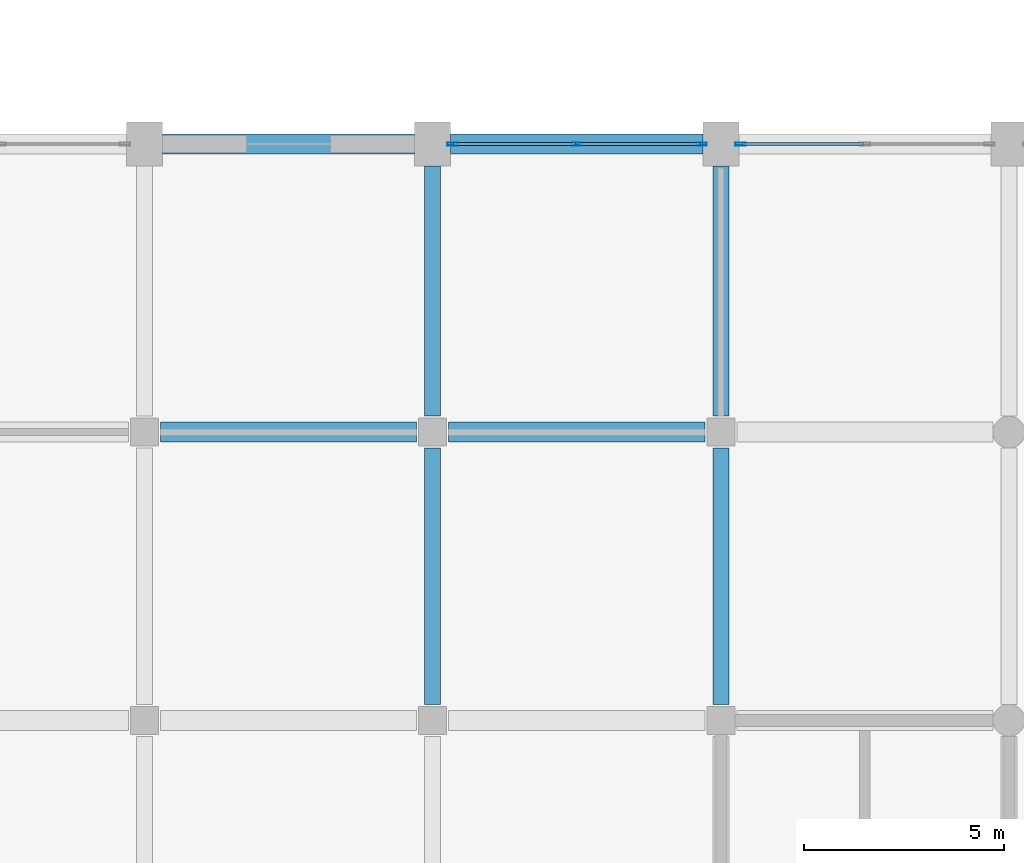
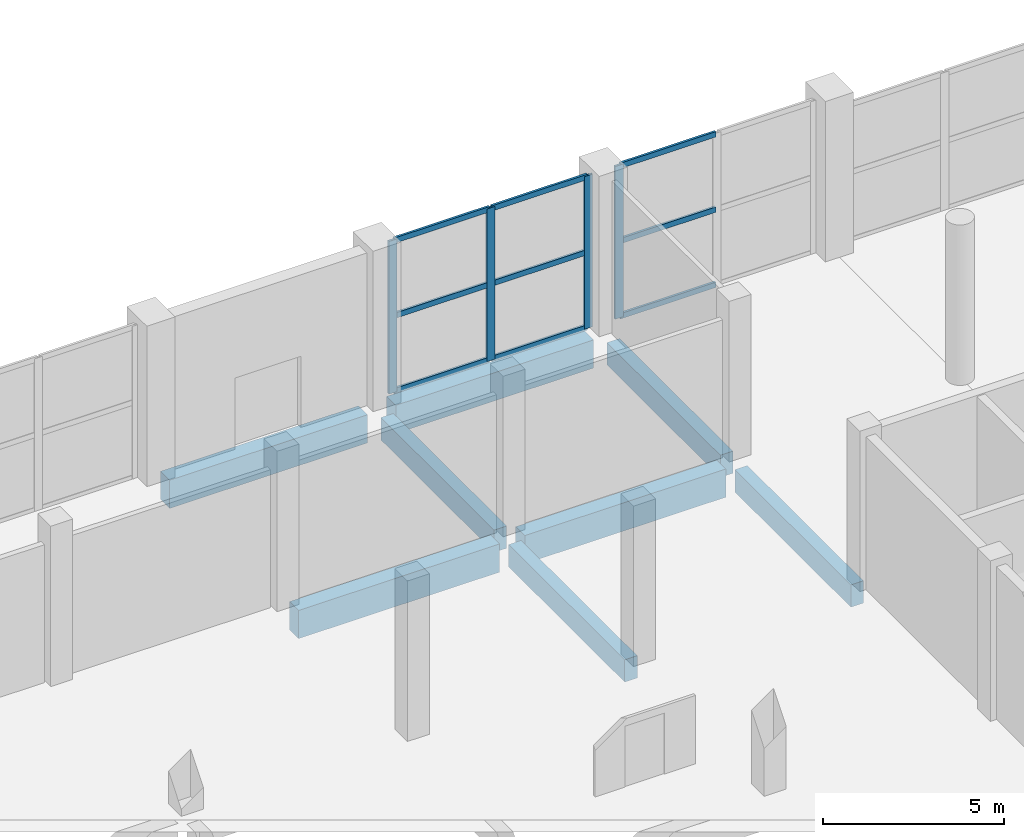
# One storey, part 26 of 70: 13 members, 8 beams, 2 elements without a shape of their own.
"""IFC4 building model written with IfcOpenShell, lengths in metres."""

from ifc_helpers import new_model, si_unit, direction, frame, origin, origin_2d, place, context, subcontext, project, spatial, rectangle, hollow_rectangle, extrude, material, material_profile, profile_set, type_object, element, aggregate, save


model = new_model("IFC4")

# Units and contexts
model_context = context("Model", 3, precision=1e-05, world=origin(), true_north=direction((0.0, 1.0)))
body_context = subcontext(model_context, "Body", "Model", "MODEL_VIEW")
ifc_project = project(units=[si_unit("LENGTHUNIT", "METRE"), si_unit("AREAUNIT", "SQUARE_METRE"), si_unit("VOLUMEUNIT", "CUBIC_METRE"), si_unit("PLANEANGLEUNIT", "RADIAN"), si_unit("MASSUNIT", "GRAM", prefix="KILO")], contexts=[model_context])

# Site, building, storey
site_placement = place(None, origin())
site = spatial("IfcSite", under=ifc_project, at=site_placement, CompositionType="ELEMENT")
building_placement = place(site_placement, origin())
building = spatial("IfcBuilding", under=site, at=building_placement, Name="Vesperath Aquatics Centre", CompositionType="ELEMENT")
storey_placement = place(building_placement, origin())
storey = spatial("IfcBuildingStorey", under=building, at=storey_placement, Name="L00", CompositionType="ELEMENT", Elevation=0.0)

# Beams
ifc_material_1 = material(Name="Concrete C40", Category="concrete")
ifc_material_profile_1 = material_profile(ifc_material_1, rectangle(XDim=0.5, YDim=0.949951171875, at=origin_2d()), Name="RC 500x950")
ifc_profile_set_1 = profile_set([ifc_material_profile_1], Name="Concrete C40")
beam_type_1 = type_object("IfcBeamType", Name="BM-G02", PredefinedType="BEAM", material=ifc_profile_set_1)
beam_1_placement = place(storey_placement, frame((79.60009765625, 79.199951171875, -0.7548828125), z_axis=(1.0, 0.0, 0.0), x_axis=(0.0, 1.0, 0.0)))
element("IfcBeam", 1, at=beam_1_placement, inside=storey, type_object=beam_type_1, Name="Floor Girder B02 L00 M 12-13", PredefinedType="BEAM", context=body_context, shape_type="SweptSolid", body=[
    extrude(rectangle(XDim=0.5, YDim=0.949951171875, at=origin_2d()), origin(), (0.0, 0.0, 1.0), 6.39990234375),
])
beam_2_placement = place(storey_placement, frame((79.64990234375, 86.39990234375, -0.7548828125), z_axis=(1.0, 0.0, 0.0), x_axis=(0.0, 1.0, 0.0)))
element("IfcBeam", 2, at=beam_2_placement, inside=storey, type_object=beam_type_1, Name="Floor Girder B02 L00 N 12-13", PredefinedType="BEAM", context=body_context, shape_type="SweptSolid", body=[
    extrude(rectangle(XDim=0.5, YDim=0.949951171875, at=origin_2d()), origin(), (0.0, 0.0, 1.0), 6.300048828125),
])
beam_3_placement = place(storey_placement, frame((86.800048828125, 79.199951171875, -0.7548828125), z_axis=(1.0, 0.0, 0.0), x_axis=(0.0, 1.0, 0.0)))
element("IfcBeam", 3, at=beam_3_placement, inside=storey, type_object=beam_type_1, Name="Floor Girder B02 L00 M 13-14", PredefinedType="BEAM", context=body_context, shape_type="SweptSolid", body=[
    extrude(rectangle(XDim=0.5, YDim=0.949951171875, at=origin_2d()), origin(), (0.0, 0.0, 1.0), 6.39990234375),
])
beam_4_placement = place(storey_placement, frame((86.85009765625, 86.39990234375, -0.7548828125), z_axis=(1.0, 0.0, 0.0), x_axis=(0.0, 1.0, 0.0)))
element("IfcBeam", 4, at=beam_4_placement, inside=storey, type_object=beam_type_1, Name="Floor Girder B02 L00 N 13-14", PredefinedType="BEAM", context=body_context, shape_type="SweptSolid", body=[
    extrude(rectangle(XDim=0.5, YDim=0.949951171875, at=origin_2d()), origin(), (0.0, 0.0, 1.0), 6.2998046875),
])
ifc_material_2 = material(Name="Concrete C35", Category="concrete")
ifc_material_profile_2 = material_profile(ifc_material_2, rectangle(XDim=0.39990234375, YDim=0.75, at=origin_2d()), Name="RC 400x750")
ifc_profile_set_2 = profile_set([ifc_material_profile_2], Name="Concrete C35")
beam_type_2 = type_object("IfcBeamType", Name="BM-G04", PredefinedType="BEAM", material=ifc_profile_set_2)
beam_5_placement = place(storey_placement, frame((86.39990234375, 72.39990234375, -0.655029296875), z_axis=(0.0, 1.0, 0.0), x_axis=(-1.0, 0.0, 0.0)))
element("IfcBeam", 5, at=beam_5_placement, inside=storey, type_object=beam_type_2, Name="Floor Girder B04 L00 13 L-M", PredefinedType="BEAM", context=body_context, shape_type="SweptSolid", body=[
    extrude(rectangle(XDim=0.39990234375, YDim=0.75, at=origin_2d()), origin(), (0.0, 0.0, 1.0), 6.400146484375),
])
beam_6_placement = place(storey_placement, frame((86.39990234375, 79.60009765625, -0.655029296875), z_axis=(0.0, 1.0, 0.0), x_axis=(-1.0, 0.0, 0.0)))
element("IfcBeam", 6, at=beam_6_placement, inside=storey, type_object=beam_type_2, Name="Floor Girder B04 L00 13 M-N", PredefinedType="BEAM", context=body_context, shape_type="SweptSolid", body=[
    extrude(rectangle(XDim=0.39990234375, YDim=0.75, at=origin_2d()), origin(), (0.0, 0.0, 1.0), 6.25),
])
beam_7_placement = place(storey_placement, frame((93.60009765625, 72.39990234375, -0.655029296875), z_axis=(0.0, 1.0, 0.0), x_axis=(-1.0, 0.0, 0.0)))
element("IfcBeam", 7, at=beam_7_placement, inside=storey, type_object=beam_type_2, Name="Floor Girder B04 L00 14 L-M", PredefinedType="BEAM", context=body_context, shape_type="SweptSolid", body=[
    extrude(rectangle(XDim=0.39990234375, YDim=0.75, at=origin_2d()), origin(), (0.0, 0.0, 1.0), 6.400146484375),
])
beam_8_placement = place(storey_placement, frame((93.60009765625, 79.60009765625, -0.655029296875), z_axis=(0.0, 1.0, 0.0), x_axis=(-1.0, 0.0, 0.0)))
element("IfcBeam", 8, at=beam_8_placement, inside=storey, type_object=beam_type_2, Name="Floor Girder B04 L00 14 M-N", PredefinedType="BEAM", context=body_context, shape_type="SweptSolid", body=[
    extrude(rectangle(XDim=0.39990234375, YDim=0.75, at=origin_2d()), origin(), (0.0, 0.0, 1.0), 6.25),
])

# Curtain wall, members
ifc_material_3 = material(Name="Thermally broken anodised bronze aluminium curtain wall", Category="aluminium")
curtain_wall_type = type_object("IfcCurtainWallType", Name="CW-01", PredefinedType="NOTDEFINED", material=ifc_material_3)
curtain_wall_1_placement = place(storey_placement, origin())
curtain_wall_1 = element("IfcCurtainWall", 9, at=curtain_wall_1_placement, inside=storey, type_object=curtain_wall_type, Name="Facade Curtain Wall CW01 L00_N_12_12", PredefinedType="NOTDEFINED")
ifc_material_4 = material(Name="Thermally broken anodised aluminium", Category="aluminium")
ifc_material_profile_3 = material_profile(ifc_material_4, hollow_rectangle(XDim=0.074951171875, YDim=0.260009765625, WallThickness=0.006103515625, at=origin_2d()), Name="CWM 75x260x6")
ifc_profile_set_3 = profile_set([ifc_material_profile_3], Name="Thermally broken anodised aluminium")
member_type_1 = type_object("IfcMemberType", Name="MB-CWM1", PredefinedType="MULLION", material=ifc_profile_set_3)
member_1_placement = place(storey_placement, frame((86.887451171875, 86.39990234375, 0.0), z_axis=(0.0, 0.0, 1.0), x_axis=(0.0, 1.0, 0.0)))
member_1 = element("IfcMember", 10, at=member_1_placement, type_object=member_type_1, Name="CW01 mullion 1", PredefinedType="MULLION", context=body_context, shape_type="SweptSolid", body=[
    extrude(hollow_rectangle(XDim=0.074951171875, YDim=0.260009765625, WallThickness=0.006103515625, at=origin_2d()), origin(), (0.0, 0.0, 1.0), 5.139892578125),
])
member_2_placement = place(storey_placement, frame((90.0, 86.39990234375, 0.0), z_axis=(0.0, 0.0, 1.0), x_axis=(0.0, 1.0, 0.0)))
member_2 = element("IfcMember", 11, at=member_2_placement, type_object=member_type_1, Name="CW01 mullion 2", PredefinedType="MULLION", context=body_context, shape_type="SweptSolid", body=[
    extrude(hollow_rectangle(XDim=0.074951171875, YDim=0.260009765625, WallThickness=0.006103515625, at=origin_2d()), origin(), (0.0, 0.0, 1.0), 5.139892578125),
])
member_3_placement = place(storey_placement, frame((93.112548828125, 86.39990234375, 0.0), z_axis=(0.0, 0.0, 1.0), x_axis=(0.0, 1.0, 0.0)))
member_3 = element("IfcMember", 12, at=member_3_placement, type_object=member_type_1, Name="CW01 mullion 3", PredefinedType="MULLION", context=body_context, shape_type="SweptSolid", body=[
    extrude(hollow_rectangle(XDim=0.074951171875, YDim=0.260009765625, WallThickness=0.006103515625, at=origin_2d()), origin(), (0.0, 0.0, 1.0), 5.139892578125),
])

# Curtain wall, member
curtain_wall_2_placement = place(storey_placement, origin())
curtain_wall_2 = element("IfcCurtainWall", 13, at=curtain_wall_2_placement, inside=storey, type_object=curtain_wall_type, Name="Facade Curtain Wall CW01 L00_N_13_12", PredefinedType="NOTDEFINED")
member_4_placement = place(storey_placement, frame((94.08740234375, 86.39990234375, 0.0), z_axis=(0.0, 0.0, 1.0), x_axis=(0.0, 1.0, 0.0)))
member_4 = element("IfcMember", 14, at=member_4_placement, type_object=member_type_1, Name="CW01 mullion 1", PredefinedType="MULLION", context=body_context, shape_type="SweptSolid", body=[
    extrude(hollow_rectangle(XDim=0.074951171875, YDim=0.260009765625, WallThickness=0.006103515625, at=origin_2d()), origin(), (0.0, 0.0, 1.0), 5.139892578125),
])

# Member
ifc_material_profile_4 = material_profile(ifc_material_4, hollow_rectangle(XDim=0.074951171875, YDim=0.179931640625, WallThickness=0.0048828125, at=origin_2d()), Name="CWT 75x180x5")
ifc_profile_set_4 = profile_set([ifc_material_profile_4], Name="Thermally broken anodised aluminium")
member_type_2 = type_object("IfcMemberType", Name="MB-CWT1", PredefinedType="USERDEFINED", material=ifc_profile_set_4)
member_5_placement = place(storey_placement, frame((86.925048828125, 86.39990234375, 0.03759765625), z_axis=(1.0, 0.0, 0.0), x_axis=(0.0, 1.0, 0.0)))
member_5 = element("IfcMember", 15, at=member_5_placement, type_object=member_type_2, Name="CW01 transom 1.1", ObjectType="TRANSOM", PredefinedType="USERDEFINED", context=body_context, shape_type="SweptSolid", body=[
    extrude(hollow_rectangle(XDim=0.074951171875, YDim=0.179931640625, WallThickness=0.0048828125, at=origin_2d()), origin(), (0.0, 0.0, 1.0), 3.037353515625),
])

member_6_placement = place(storey_placement, frame((86.925048828125, 86.39990234375, 2.570068359375), z_axis=(1.0, 0.0, 0.0), x_axis=(0.0, 1.0, 0.0)))
member_6 = element("IfcMember", 16, at=member_6_placement, type_object=member_type_2, Name="CW01 transom 1.2", ObjectType="TRANSOM", PredefinedType="USERDEFINED", context=body_context, shape_type="SweptSolid", body=[
    extrude(hollow_rectangle(XDim=0.074951171875, YDim=0.179931640625, WallThickness=0.0048828125, at=origin_2d()), origin(), (0.0, 0.0, 1.0), 3.037353515625),
])

member_7_placement = place(storey_placement, frame((86.925048828125, 86.39990234375, 5.1025390625), z_axis=(1.0, 0.0, 0.0), x_axis=(0.0, 1.0, 0.0)))
member_7 = element("IfcMember", 17, at=member_7_placement, type_object=member_type_2, Name="CW01 transom 1.3", ObjectType="TRANSOM", PredefinedType="USERDEFINED", context=body_context, shape_type="SweptSolid", body=[
    extrude(hollow_rectangle(XDim=0.074951171875, YDim=0.179931640625, WallThickness=0.0048828125, at=origin_2d()), origin(), (0.0, 0.0, 1.0), 3.037353515625),
])

member_8_placement = place(storey_placement, frame((90.03759765625, 86.39990234375, 0.03759765625), z_axis=(1.0, 0.0, 0.0), x_axis=(0.0, 1.0, 0.0)))
member_8 = element("IfcMember", 18, at=member_8_placement, type_object=member_type_2, Name="CW01 transom 2.1", ObjectType="TRANSOM", PredefinedType="USERDEFINED", context=body_context, shape_type="SweptSolid", body=[
    extrude(hollow_rectangle(XDim=0.074951171875, YDim=0.179931640625, WallThickness=0.0048828125, at=origin_2d()), origin(), (0.0, 0.0, 1.0), 3.037353515625),
])

member_9_placement = place(storey_placement, frame((90.03759765625, 86.39990234375, 2.570068359375), z_axis=(1.0, 0.0, 0.0), x_axis=(0.0, 1.0, 0.0)))
member_9 = element("IfcMember", 19, at=member_9_placement, type_object=member_type_2, Name="CW01 transom 2.2", ObjectType="TRANSOM", PredefinedType="USERDEFINED", context=body_context, shape_type="SweptSolid", body=[
    extrude(hollow_rectangle(XDim=0.074951171875, YDim=0.179931640625, WallThickness=0.0048828125, at=origin_2d()), origin(), (0.0, 0.0, 1.0), 3.037353515625),
])

member_10_placement = place(storey_placement, frame((90.03759765625, 86.39990234375, 5.1025390625), z_axis=(1.0, 0.0, 0.0), x_axis=(0.0, 1.0, 0.0)))
member_10 = element("IfcMember", 20, at=member_10_placement, type_object=member_type_2, Name="CW01 transom 2.3", ObjectType="TRANSOM", PredefinedType="USERDEFINED", context=body_context, shape_type="SweptSolid", body=[
    extrude(hollow_rectangle(XDim=0.074951171875, YDim=0.179931640625, WallThickness=0.0048828125, at=origin_2d()), origin(), (0.0, 0.0, 1.0), 3.037353515625),
])

aggregate(curtain_wall_1, [member_1, member_2, member_3, member_5, member_6, member_7, member_8, member_9, member_10])

member_11_placement = place(storey_placement, frame((94.125, 86.39990234375, 0.03759765625), z_axis=(1.0, 0.0, 0.0), x_axis=(0.0, 1.0, 0.0)))
member_11 = element("IfcMember", 21, at=member_11_placement, type_object=member_type_2, Name="CW01 transom 1.1", ObjectType="TRANSOM", PredefinedType="USERDEFINED", context=body_context, shape_type="SweptSolid", body=[
    extrude(hollow_rectangle(XDim=0.074951171875, YDim=0.179931640625, WallThickness=0.0048828125, at=origin_2d()), origin(), (0.0, 0.0, 1.0), 3.03759765625),
])

member_12_placement = place(storey_placement, frame((94.125, 86.39990234375, 2.570068359375), z_axis=(1.0, 0.0, 0.0), x_axis=(0.0, 1.0, 0.0)))
member_12 = element("IfcMember", 22, at=member_12_placement, type_object=member_type_2, Name="CW01 transom 1.2", ObjectType="TRANSOM", PredefinedType="USERDEFINED", context=body_context, shape_type="SweptSolid", body=[
    extrude(hollow_rectangle(XDim=0.074951171875, YDim=0.179931640625, WallThickness=0.0048828125, at=origin_2d()), origin(), (0.0, 0.0, 1.0), 3.03759765625),
])

member_13_placement = place(storey_placement, frame((94.125, 86.39990234375, 5.1025390625), z_axis=(1.0, 0.0, 0.0), x_axis=(0.0, 1.0, 0.0)))
member_13 = element("IfcMember", 23, at=member_13_placement, type_object=member_type_2, Name="CW01 transom 1.3", ObjectType="TRANSOM", PredefinedType="USERDEFINED", context=body_context, shape_type="SweptSolid", body=[
    extrude(hollow_rectangle(XDim=0.074951171875, YDim=0.179931640625, WallThickness=0.0048828125, at=origin_2d()), origin(), (0.0, 0.0, 1.0), 3.03759765625),
])

aggregate(curtain_wall_2, [member_4, member_11, member_12, member_13])

save(model, "model.ifc")
